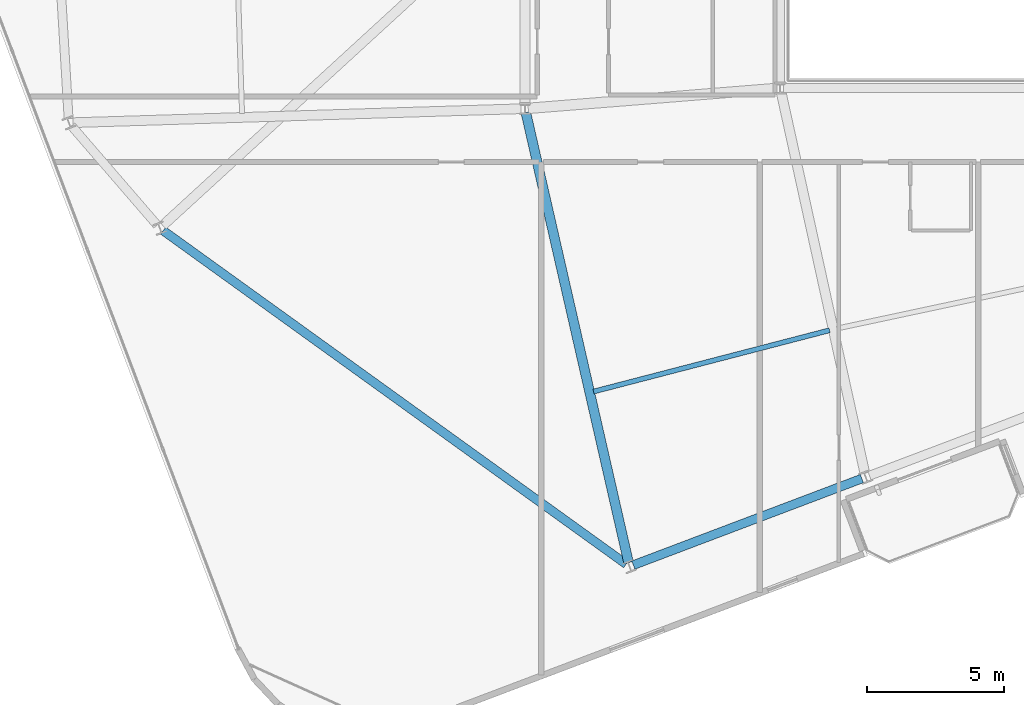
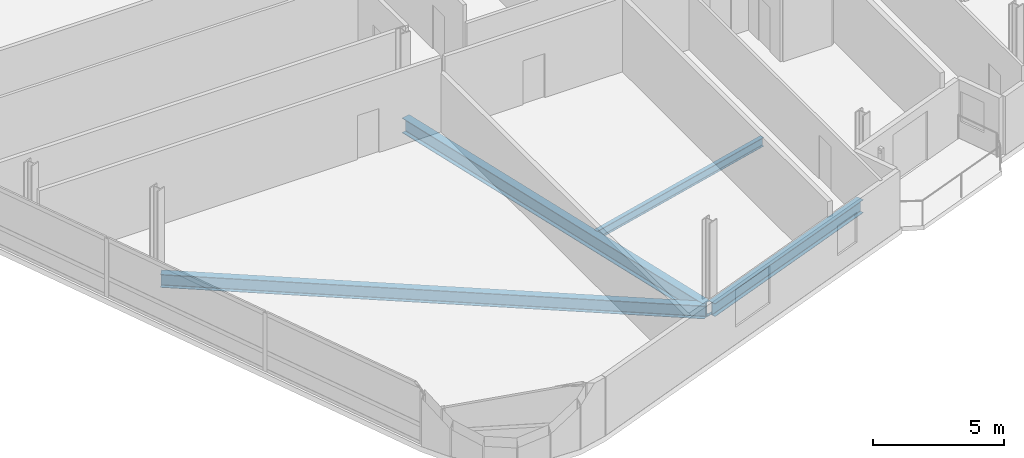
# One storey, part 6 of 24: 4 beams.
"""IFC4 building model written with IfcOpenShell, lengths in metres."""

from ifc_helpers import new_model, si_unit, direction, frame, origin, origin_2d, place, context, subcontext, project, spatial, i_section, extrude, material, material_profile, profile_set, type_object, element, save


model = new_model("IFC4")

# Units and contexts
model_context = context("Model", 3, precision=1e-05, world=origin(), true_north=direction((0.0, 1.0)))
body_context = subcontext(model_context, "Body", "Model", "MODEL_VIEW")
ifc_project = project(units=[si_unit("LENGTHUNIT", "METRE"), si_unit("AREAUNIT", "SQUARE_METRE"), si_unit("VOLUMEUNIT", "CUBIC_METRE"), si_unit("PLANEANGLEUNIT", "RADIAN"), si_unit("MASSUNIT", "GRAM", prefix="KILO")], contexts=[model_context])

# Site, building, storey
site_placement = place(None, origin())
site = spatial("IfcSite", under=ifc_project, at=site_placement, CompositionType="ELEMENT")
building_placement = place(site_placement, origin())
building = spatial("IfcBuilding", under=site, at=building_placement, Name="Varnelok Gate Tower", CompositionType="ELEMENT")
storey_placement = place(building_placement, frame((0.0, 0.0, 242.300048828125)))
storey = spatial("IfcBuildingStorey", under=building, at=storey_placement, Name="L62", CompositionType="ELEMENT", Elevation=242.300048828125)

# Beams
ifc_material = material(Name="Structural Steel ASTM A992 Grade 50", Category="steel")
ifc_material_profile_1 = material_profile(ifc_material, i_section(OverallWidth=0.180908203125, OverallDepth=0.4169921875, WebThickness=0.010986328125, FlangeThickness=0.018310546875, FilletRadius=0.013916015625, at=origin_2d()), Name="W16X57")
ifc_profile_set_1 = profile_set([ifc_material_profile_1], Name="Structural Steel ASTM A992 Grade 50")
beam_type_1 = type_object("IfcBeamType", Name="BM-JST-W16X57", PredefinedType="JOIST", material=ifc_profile_set_1)
beam_1_placement = place(storey_placement, frame((26.909423828125, 8.4365234375, -0.45849609375), z_axis=(0.967889835008, 0.251374754675, 0.0), x_axis=(-0.251374754675, 0.967889835008, 0.0)))
element("IfcBeam", 1, at=beam_1_placement, inside=storey, type_object=beam_type_1, Name="L62 Sector Floor Joist 1", PredefinedType="JOIST", context=body_context, shape_type="SweptSolid", body=[
    extrude(i_section(OverallWidth=0.180908203125, OverallDepth=0.4169921875, WebThickness=0.010986328125, FlangeThickness=0.018310546875, FilletRadius=0.013916015625, at=origin_2d()), origin(), (0.0, 0.0, 1.0), 8.932373046875),
])
ifc_material_profile_2 = material_profile(ifc_material, i_section(OverallWidth=0.35498046875, OverallDepth=0.696044921875, WebThickness=0.015380859375, FlangeThickness=0.02490234375, FilletRadius=0.02001953125, at=origin_2d()), Name="W27X146")
ifc_profile_set_2 = profile_set([ifc_material_profile_2], Name="Structural Steel ASTM A992 Grade 50")
beam_type_2 = type_object("IfcBeamType", Name="BM-PRI-W27X146", PredefinedType="BEAM", material=ifc_profile_set_2)
beam_2_placement = place(storey_placement, frame((24.433349609375, 18.65380859375, -0.59814453125), z_axis=(0.222569880735, -0.974916739106, 0.0), x_axis=(0.974916739106, 0.222569880735, 0.0)))
element("IfcBeam", 2, at=beam_2_placement, inside=storey, type_object=beam_type_2, Name="L62 Radial Floor Girder 1", PredefinedType="BEAM", context=body_context, shape_type="SweptSolid", body=[
    extrude(i_section(OverallWidth=0.35498046875, OverallDepth=0.696044921875, WebThickness=0.015380859375, FlangeThickness=0.02490234375, FilletRadius=0.02001953125, at=origin_2d()), origin(), (0.0, 0.0, 1.0), 16.903564453125),
])
ifc_material_profile_3 = material_profile(ifc_material, i_section(OverallWidth=0.323974609375, OverallDepth=0.611083984375, WebThickness=0.0126953125, FlangeThickness=0.01904296875, FilletRadius=0.01806640625, at=origin_2d()), Name="W24X104")
ifc_profile_set_3 = profile_set([ifc_material_profile_3], Name="Structural Steel ASTM A992 Grade 50")
beam_type_3 = type_object("IfcBeamType", Name="BM-SPN-W24X104", PredefinedType="SPANDREL", material=ifc_profile_set_3)
beam_3_placement = place(storey_placement, frame((28.369384765625, 2.081298828125, -0.5556640625), z_axis=(0.935225969099, 0.354051389947, 0.0), x_axis=(-0.354051389947, 0.935225969099, 0.0)))
element("IfcBeam", 3, at=beam_3_placement, inside=storey, type_object=beam_type_3, Name="L62 Perimeter Spandrel Beam 1", PredefinedType="SPANDREL", context=body_context, shape_type="SweptSolid", body=[
    extrude(i_section(OverallWidth=0.323974609375, OverallDepth=0.611083984375, WebThickness=0.0126953125, FlangeThickness=0.01904296875, FilletRadius=0.01806640625, at=origin_2d()), origin(), (0.0, 0.0, 1.0), 8.949951171875),
])
beam_4_placement = place(storey_placement, frame((11.148681640625, 14.33251953125, -0.5556640625), z_axis=(0.811386760244, -0.584509645173, 0.0), x_axis=(0.584509645173, 0.811386760244, 0.0)))
element("IfcBeam", 4, at=beam_4_placement, inside=storey, type_object=beam_type_3, Name="L62 Perimeter Spandrel Beam 16", PredefinedType="SPANDREL", context=body_context, shape_type="SweptSolid", body=[
    extrude(i_section(OverallWidth=0.323974609375, OverallDepth=0.611083984375, WebThickness=0.0126953125, FlangeThickness=0.01904296875, FilletRadius=0.01806640625, at=origin_2d()), origin(), (0.0, 0.0, 1.0), 20.90087890625),
])

save(model, "model.ifc")
